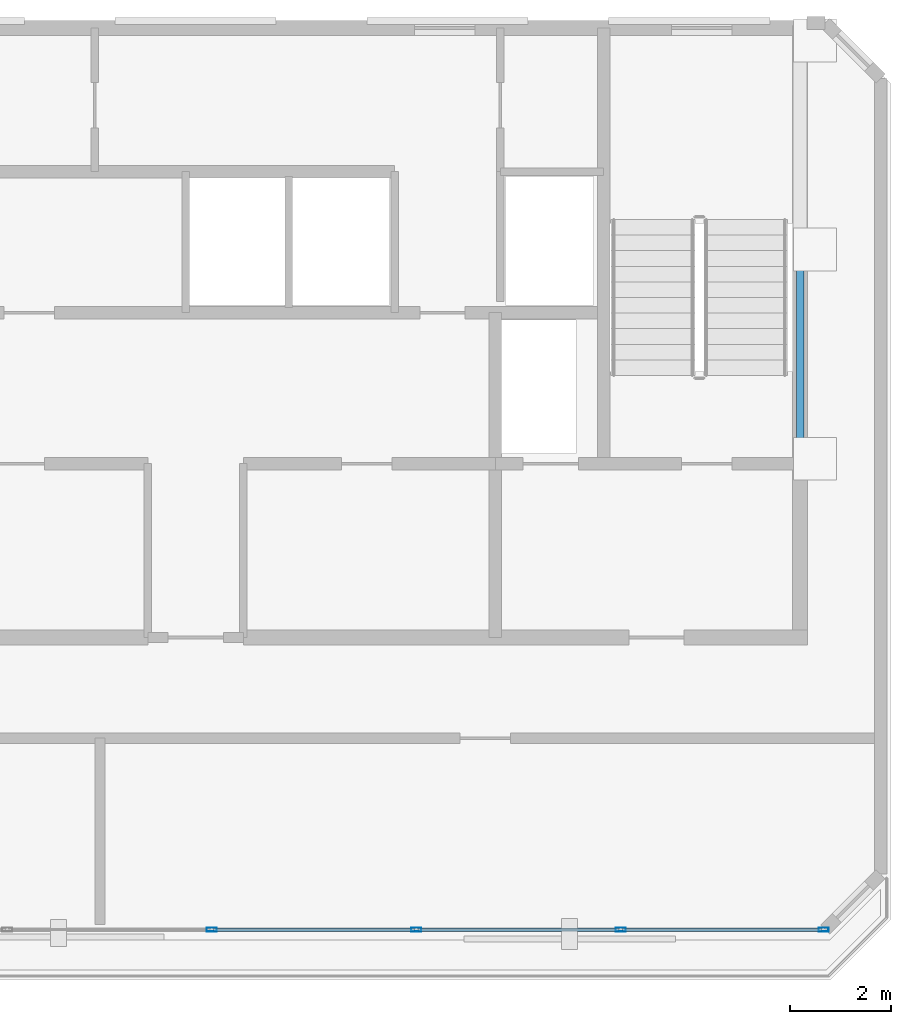
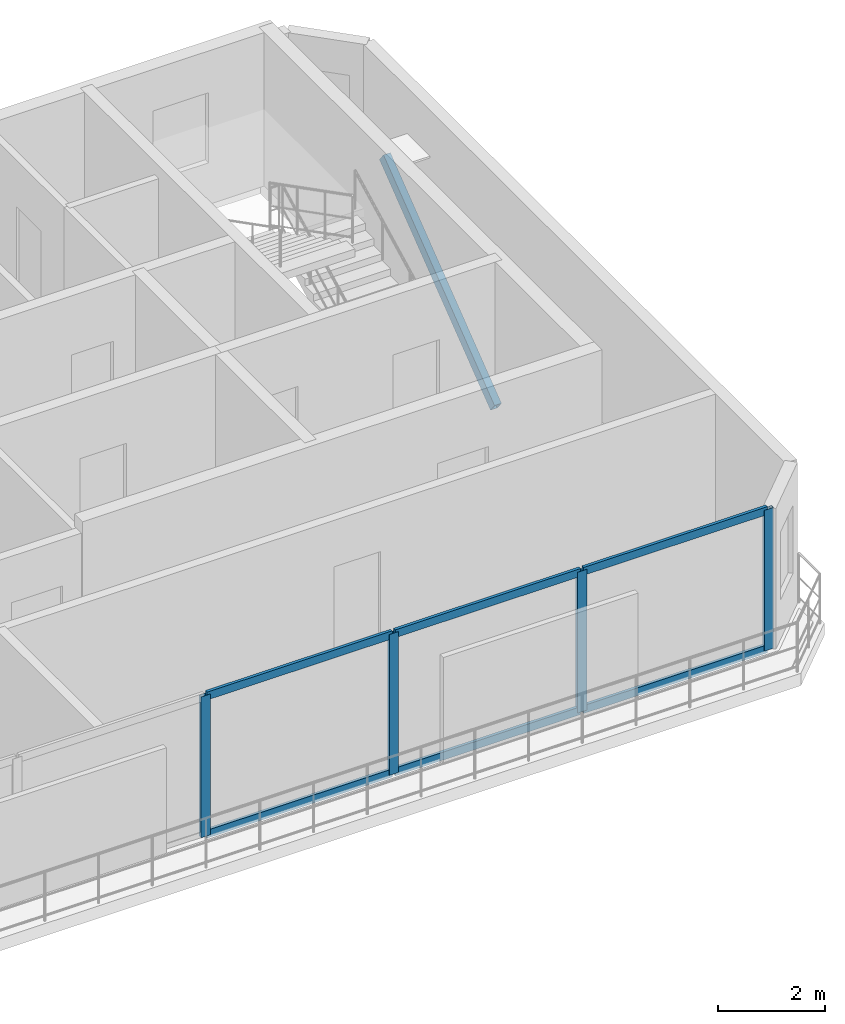
# One storey, part 3 of 6: 11 members, 1 element without a shape of its own.
"""IFC4 building model written with IfcOpenShell, lengths in metres."""

from ifc_helpers import new_model, si_unit, direction, frame, origin, origin_2d, place, context, subcontext, project, spatial, hollow_rectangle, extrude, material, layer, layer_set, material_profile, profile_set, type_object, element, aggregate, save


model = new_model("IFC4")

# Units and contexts
model_context = context("Model", 3, precision=1e-05, world=origin(), true_north=direction((0.0, 1.0)))
body_context = subcontext(model_context, "Body", "Model", "MODEL_VIEW")
ifc_project = project(units=[si_unit("LENGTHUNIT", "METRE"), si_unit("AREAUNIT", "SQUARE_METRE"), si_unit("VOLUMEUNIT", "CUBIC_METRE"), si_unit("PLANEANGLEUNIT", "RADIAN"), si_unit("MASSUNIT", "GRAM", prefix="KILO")], contexts=[model_context])

# Site, building, storey
site_placement = place(None, origin())
site = spatial("IfcSite", under=ifc_project, at=site_placement, CompositionType="ELEMENT")
building_placement = place(site_placement, origin())
building = spatial("IfcBuilding", under=site, at=building_placement, Name="Catumbela Crestline Tower", CompositionType="ELEMENT")
storey_placement = place(building_placement, frame((0.0, 0.0, 301.0)))
storey = spatial("IfcBuildingStorey", under=building, at=storey_placement, Name="L77", CompositionType="ELEMENT", Elevation=301.0)

# Member
ifc_material_1 = material(Name="Structural steel S355J2", Category="steel")
ifc_material_profile_1 = material_profile(ifc_material_1, hollow_rectangle(XDim=0.15, YDim=0.25, WallThickness=0.0125, at=origin_2d()), Name="RHS 250x150x12.5")
ifc_profile_set_1 = profile_set([ifc_material_profile_1], Name="Structural steel S355J2")
member_type_1 = type_object("IfcMemberType", Name="CS-250", PredefinedType="STRUT", material=ifc_profile_set_1)
member_1_placement = place(storey_placement, frame((40.0, 34.35, 0.01), z_axis=(0.0, 0.791914074685, 0.610632539516), x_axis=(-1.0, 0.0, 0.0)))
element("IfcMember", 1, at=member_1_placement, inside=storey, type_object=member_type_1, Name="L77 Crown Wind Frame Strut 3", PredefinedType="STRUT", context=body_context, shape_type="SweptSolid", body=[
    extrude(hollow_rectangle(XDim=0.15, YDim=0.25, WallThickness=0.0125, at=origin_2d()), origin(), (0.0, 0.0, 1.0), 5.2405),
])

# Curtain wall, members
ifc_material_2 = material(Name="Aluminium alloy AW-6060-T66", Category="aluminium")
ifc_layer = layer(ifc_material_2, 0.18, Name="Aluminium alloy AW-6060-T66")
ifc_layer_set = layer_set([ifc_layer], Name="Aluminium alloy AW-6060-T66")
curtain_wall_type = type_object("IfcCurtainWallType", Name="CWS-OBS", PredefinedType="USERDEFINED", material=ifc_layer_set)
curtain_wall_placement = place(storey_placement, origin())
curtain_wall = element("IfcCurtainWall", 2, at=curtain_wall_placement, inside=storey, type_object=curtain_wall_type, Name="L77 Stick Curtain Wall CW-L77-E0S2", ObjectType="STICK", PredefinedType="USERDEFINED")
ifc_material_profile_2 = material_profile(ifc_material_2, hollow_rectangle(XDim=0.075, YDim=0.2, WallThickness=0.005, at=origin_2d()), Name="ALU 200x75x5")
ifc_profile_set_2 = profile_set([ifc_material_profile_2], Name="Aluminium alloy AW-6060-T66")
member_type_2 = type_object("IfcMemberType", Name="MUL-200X75", PredefinedType="MULLION", material=ifc_profile_set_2)
member_2_placement = place(storey_placement, frame((28.32, 25.0, 0.0), z_axis=(0.0, 0.0, 1.0), x_axis=(0.0, 1.0, 0.0)))
member_2 = element("IfcMember", 3, at=member_2_placement, type_object=member_type_2, Name="CWS-OBS mullion 3", PredefinedType="MULLION", context=body_context, shape_type="SweptSolid", body=[
    extrude(hollow_rectangle(XDim=0.075, YDim=0.2, WallThickness=0.005, at=origin_2d()), origin(), (0.0, 0.0, 1.0), 3.21),
])
member_3_placement = place(storey_placement, frame((32.38, 25.0, 0.0), z_axis=(0.0, 0.0, 1.0), x_axis=(0.0, 1.0, 0.0)))
member_3 = element("IfcMember", 4, at=member_3_placement, type_object=member_type_2, Name="CWS-OBS mullion 4", PredefinedType="MULLION", context=body_context, shape_type="SweptSolid", body=[
    extrude(hollow_rectangle(XDim=0.075, YDim=0.2, WallThickness=0.005, at=origin_2d()), origin(), (0.0, 0.0, 1.0), 3.21),
])
member_4_placement = place(storey_placement, frame((36.44, 25.0, 0.0), z_axis=(0.0, 0.0, 1.0), x_axis=(0.0, 1.0, 0.0)))
member_4 = element("IfcMember", 5, at=member_4_placement, type_object=member_type_2, Name="CWS-OBS mullion 5", PredefinedType="MULLION", context=body_context, shape_type="SweptSolid", body=[
    extrude(hollow_rectangle(XDim=0.075, YDim=0.2, WallThickness=0.005, at=origin_2d()), origin(), (0.0, 0.0, 1.0), 3.21),
])
member_5_placement = place(storey_placement, frame((40.4675, 25.0, 0.0), z_axis=(0.0, 0.0, 1.0), x_axis=(0.0, 1.0, 0.0)))
member_5 = element("IfcMember", 6, at=member_5_placement, type_object=member_type_2, Name="CWS-OBS mullion 6", PredefinedType="MULLION", context=body_context, shape_type="SweptSolid", body=[
    extrude(hollow_rectangle(XDim=0.075, YDim=0.2, WallThickness=0.005, at=origin_2d()), origin(), (0.0, 0.0, 1.0), 3.21),
])
ifc_material_profile_3 = material_profile(ifc_material_2, hollow_rectangle(XDim=0.065, YDim=0.18, WallThickness=0.004, at=origin_2d()), Name="ALU 180x65x4")
ifc_profile_set_3 = profile_set([ifc_material_profile_3], Name="Aluminium alloy AW-6060-T66")
member_type_3 = type_object("IfcMemberType", Name="TRN-180X65", PredefinedType="USERDEFINED", material=ifc_profile_set_3)
member_6_placement = place(storey_placement, frame((28.3525, 25.0, 0.03), z_axis=(1.0, 0.0, 0.0), x_axis=(0.0, 1.0, 0.0)))
member_6 = element("IfcMember", 7, at=member_6_placement, type_object=member_type_3, Name="CWS-OBS transom 3.1", ObjectType="TRANSOM", PredefinedType="USERDEFINED", context=body_context, shape_type="SweptSolid", body=[
    extrude(hollow_rectangle(XDim=0.065, YDim=0.18, WallThickness=0.004, at=origin_2d()), origin(), (0.0, 0.0, 1.0), 3.995),
])
member_7_placement = place(storey_placement, frame((28.3525, 25.0, 3.18), z_axis=(1.0, 0.0, 0.0), x_axis=(0.0, 1.0, 0.0)))
member_7 = element("IfcMember", 8, at=member_7_placement, type_object=member_type_3, Name="CWS-OBS transom 3.2", ObjectType="TRANSOM", PredefinedType="USERDEFINED", context=body_context, shape_type="SweptSolid", body=[
    extrude(hollow_rectangle(XDim=0.065, YDim=0.18, WallThickness=0.004, at=origin_2d()), origin(), (0.0, 0.0, 1.0), 3.995),
])
member_8_placement = place(storey_placement, frame((32.4125, 25.0, 0.03), z_axis=(1.0, 0.0, 0.0), x_axis=(0.0, 1.0, 0.0)))
member_8 = element("IfcMember", 9, at=member_8_placement, type_object=member_type_3, Name="CWS-OBS transom 4.1", ObjectType="TRANSOM", PredefinedType="USERDEFINED", context=body_context, shape_type="SweptSolid", body=[
    extrude(hollow_rectangle(XDim=0.065, YDim=0.18, WallThickness=0.004, at=origin_2d()), origin(), (0.0, 0.0, 1.0), 3.995),
])
member_9_placement = place(storey_placement, frame((32.4125, 25.0, 3.18), z_axis=(1.0, 0.0, 0.0), x_axis=(0.0, 1.0, 0.0)))
member_9 = element("IfcMember", 10, at=member_9_placement, type_object=member_type_3, Name="CWS-OBS transom 4.2", ObjectType="TRANSOM", PredefinedType="USERDEFINED", context=body_context, shape_type="SweptSolid", body=[
    extrude(hollow_rectangle(XDim=0.065, YDim=0.18, WallThickness=0.004, at=origin_2d()), origin(), (0.0, 0.0, 1.0), 3.995),
])
member_10_placement = place(storey_placement, frame((36.4725, 25.0, 0.03), z_axis=(1.0, 0.0, 0.0), x_axis=(0.0, 1.0, 0.0)))
member_10 = element("IfcMember", 11, at=member_10_placement, type_object=member_type_3, Name="CWS-OBS transom 5.1", ObjectType="TRANSOM", PredefinedType="USERDEFINED", context=body_context, shape_type="SweptSolid", body=[
    extrude(hollow_rectangle(XDim=0.065, YDim=0.18, WallThickness=0.004, at=origin_2d()), origin(), (0.0, 0.0, 1.0), 3.9625),
])
member_11_placement = place(storey_placement, frame((36.4725, 25.0, 3.18), z_axis=(1.0, 0.0, 0.0), x_axis=(0.0, 1.0, 0.0)))
member_11 = element("IfcMember", 12, at=member_11_placement, type_object=member_type_3, Name="CWS-OBS transom 5.2", ObjectType="TRANSOM", PredefinedType="USERDEFINED", context=body_context, shape_type="SweptSolid", body=[
    extrude(hollow_rectangle(XDim=0.065, YDim=0.18, WallThickness=0.004, at=origin_2d()), origin(), (0.0, 0.0, 1.0), 3.9625),
])
aggregate(curtain_wall, [member_2, member_3, member_4, member_5, member_6, member_7, member_8, member_9, member_10, member_11])

save(model, "model.ifc")
